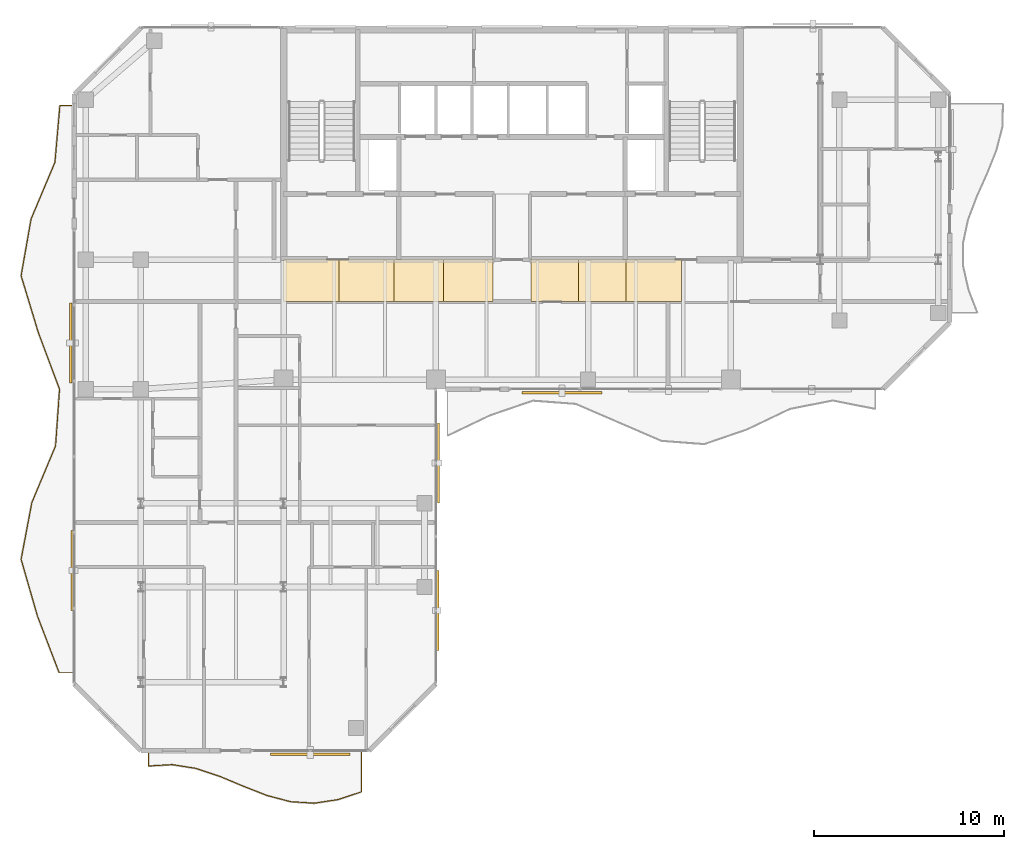
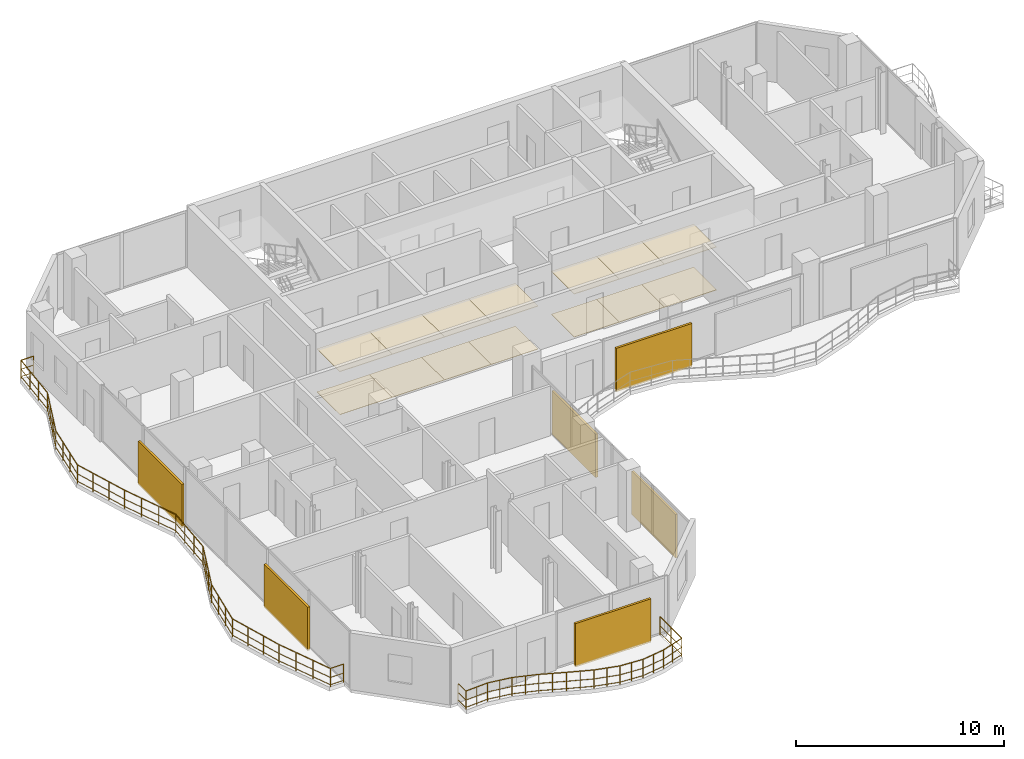
# One storey, part 21 of 23: 14 coverings, 6 shading devices, 2 railings.
"""IFC4 building model written with IfcOpenShell, lengths in metres."""

from ifc_helpers import new_model, si_unit, direction, frame, origin, origin_2d, place, context, subcontext, project, spatial, polyline, rectangle, circle, outline, extrude, material, layer, layer_set, type_object, element, save


model = new_model("IFC4")

# Units and contexts
model_context = context("Model", 3, precision=1e-05, world=origin(), true_north=direction((0.0, 1.0)))
body_context = subcontext(model_context, "Body", "Model", "MODEL_VIEW")
ifc_project = project(units=[si_unit("LENGTHUNIT", "METRE"), si_unit("AREAUNIT", "SQUARE_METRE"), si_unit("VOLUMEUNIT", "CUBIC_METRE"), si_unit("PLANEANGLEUNIT", "RADIAN"), si_unit("MASSUNIT", "GRAM", prefix="KILO")], contexts=[model_context])

# Site, building, storey
site_placement = place(None, origin())
site = spatial("IfcSite", under=ifc_project, at=site_placement, CompositionType="ELEMENT")
building_placement = place(site_placement, origin())
building = spatial("IfcBuilding", under=site, at=building_placement, Name="Catumbela Crestline Tower", CompositionType="ELEMENT")
storey_placement = place(building_placement, frame((0.0, 0.0, 168.6)))
storey = spatial("IfcBuildingStorey", under=building, at=storey_placement, Name="L43", CompositionType="ELEMENT", Elevation=168.6)

# Coverings
ifc_material_1 = material(Name="Mineral-fibre acoustic ceiling")
ifc_layer_1 = layer(ifc_material_1, 0.03, Name="Mineral-fibre acoustic ceiling")
ifc_layer_set_1 = layer_set([ifc_layer_1], Name="Mineral-fibre acoustic ceiling")
covering_type_1 = type_object("IfcCoveringType", Name="CC-AC", PredefinedType="CEILING", material=ifc_layer_set_1)
covering_1_placement = place(storey_placement, frame((0.0, 0.0, 2.52)))
element("IfcCovering", 1, at=covering_1_placement, inside=storey, type_object=covering_type_1, Name="L43 Corridor Acoustic Ceiling Bay 1", PredefinedType="CEILING", context=body_context, shape_type="SweptSolid", body=[
    extrude(outline(polyline([(16.0, 28.6), (18.9, 28.6), (18.9, 30.8), (16.0, 30.8), (16.0, 28.6)])), origin(), (0.0, 0.0, 1.0), 0.03),
])
covering_2_placement = place(storey_placement, frame((0.0, 0.0, 2.52)))
element("IfcCovering", 2, at=covering_2_placement, inside=storey, type_object=covering_type_1, Name="L43 Corridor Acoustic Ceiling Bay 2", PredefinedType="CEILING", context=body_context, shape_type="SweptSolid", body=[
    extrude(outline(polyline([(18.9, 28.6), (21.8, 28.6), (21.8, 30.8), (18.9, 30.8), (18.9, 28.6)])), origin(), (0.0, 0.0, 1.0), 0.03),
])
covering_3_placement = place(storey_placement, frame((0.0, 0.0, 2.52)))
element("IfcCovering", 3, at=covering_3_placement, inside=storey, type_object=covering_type_1, Name="L43 Corridor Acoustic Ceiling Bay 3", PredefinedType="CEILING", context=body_context, shape_type="SweptSolid", body=[
    extrude(outline(polyline([(21.8, 28.6), (24.4, 28.6), (24.4, 30.8), (21.8, 30.8), (21.8, 28.6)])), origin(), (0.0, 0.0, 1.0), 0.03),
])
covering_4_placement = place(storey_placement, frame((0.0, 0.0, 2.52)))
element("IfcCovering", 4, at=covering_4_placement, inside=storey, type_object=covering_type_1, Name="L43 Corridor Acoustic Ceiling Bay 4", PredefinedType="CEILING", context=body_context, shape_type="SweptSolid", body=[
    extrude(outline(polyline([(24.4, 28.6), (27.0, 28.6), (27.0, 30.8), (24.4, 30.8), (24.4, 28.6)])), origin(), (0.0, 0.0, 1.0), 0.03),
])
covering_5_placement = place(storey_placement, frame((0.0, 0.0, 2.52)))
element("IfcCovering", 5, at=covering_5_placement, inside=storey, type_object=covering_type_1, Name="L43 Corridor Acoustic Ceiling Bay 5", PredefinedType="CEILING", context=body_context, shape_type="SweptSolid", body=[
    extrude(outline(polyline([(29.0, 28.6), (31.5, 28.6), (31.5, 30.8), (29.0, 30.8), (29.0, 28.6)])), origin(), (0.0, 0.0, 1.0), 0.03),
])
covering_6_placement = place(storey_placement, frame((0.0, 0.0, 2.52)))
element("IfcCovering", 6, at=covering_6_placement, inside=storey, type_object=covering_type_1, Name="L43 Corridor Acoustic Ceiling Bay 6", PredefinedType="CEILING", context=body_context, shape_type="SweptSolid", body=[
    extrude(outline(polyline([(31.5, 28.6), (34.0, 28.6), (34.0, 30.8), (31.5, 30.8), (31.5, 28.6)])), origin(), (0.0, 0.0, 1.0), 0.03),
])
covering_7_placement = place(storey_placement, frame((0.0, 0.0, 2.52)))
element("IfcCovering", 7, at=covering_7_placement, inside=storey, type_object=covering_type_1, Name="L43 Corridor Acoustic Ceiling Bay 7", PredefinedType="CEILING", context=body_context, shape_type="SweptSolid", body=[
    extrude(outline(polyline([(34.0, 28.6), (36.9, 28.6), (36.9, 30.8), (34.0, 30.8), (34.0, 28.6)])), origin(), (0.0, 0.0, 1.0), 0.03),
])
ifc_material_2 = material(Name="Angolan grey-ochre granite", Category="masonry")
ifc_layer_2 = layer(ifc_material_2, 0.025, Name="Angolan grey-ochre granite")
ifc_layer_set_2 = layer_set([ifc_layer_2], Name="Angolan grey-ochre granite")
covering_type_2 = type_object("IfcCoveringType", Name="CF-GR", PredefinedType="FLOORING", material=ifc_layer_set_2)
covering_8_placement = place(storey_placement, origin())
element("IfcCovering", 8, at=covering_8_placement, inside=storey, type_object=covering_type_2, Name="L43 Corridor Granite Flooring Bay 1", PredefinedType="FLOORING", context=body_context, shape_type="SweptSolid", body=[
    extrude(outline(polyline([(16.0, 28.6), (18.9, 28.6), (18.9, 30.8), (16.0, 30.8), (16.0, 28.6)])), origin(), (0.0, 0.0, 1.0), 0.025),
])
covering_9_placement = place(storey_placement, origin())
element("IfcCovering", 9, at=covering_9_placement, inside=storey, type_object=covering_type_2, Name="L43 Corridor Granite Flooring Bay 2", PredefinedType="FLOORING", context=body_context, shape_type="SweptSolid", body=[
    extrude(outline(polyline([(18.9, 28.6), (21.8, 28.6), (21.8, 30.8), (18.9, 30.8), (18.9, 28.6)])), origin(), (0.0, 0.0, 1.0), 0.025),
])
covering_10_placement = place(storey_placement, origin())
element("IfcCovering", 10, at=covering_10_placement, inside=storey, type_object=covering_type_2, Name="L43 Corridor Granite Flooring Bay 3", PredefinedType="FLOORING", context=body_context, shape_type="SweptSolid", body=[
    extrude(outline(polyline([(21.8, 28.6), (24.4, 28.6), (24.4, 30.8), (21.8, 30.8), (21.8, 28.6)])), origin(), (0.0, 0.0, 1.0), 0.025),
])
covering_11_placement = place(storey_placement, origin())
element("IfcCovering", 11, at=covering_11_placement, inside=storey, type_object=covering_type_2, Name="L43 Corridor Granite Flooring Bay 4", PredefinedType="FLOORING", context=body_context, shape_type="SweptSolid", body=[
    extrude(outline(polyline([(24.4, 28.6), (27.0, 28.6), (27.0, 30.8), (24.4, 30.8), (24.4, 28.6)])), origin(), (0.0, 0.0, 1.0), 0.025),
])
covering_12_placement = place(storey_placement, origin())
element("IfcCovering", 12, at=covering_12_placement, inside=storey, type_object=covering_type_2, Name="L43 Corridor Granite Flooring Bay 5", PredefinedType="FLOORING", context=body_context, shape_type="SweptSolid", body=[
    extrude(outline(polyline([(29.0, 28.6), (31.5, 28.6), (31.5, 30.8), (29.0, 30.8), (29.0, 28.6)])), origin(), (0.0, 0.0, 1.0), 0.025),
])
covering_13_placement = place(storey_placement, origin())
element("IfcCovering", 13, at=covering_13_placement, inside=storey, type_object=covering_type_2, Name="L43 Corridor Granite Flooring Bay 6", PredefinedType="FLOORING", context=body_context, shape_type="SweptSolid", body=[
    extrude(outline(polyline([(31.5, 28.6), (34.0, 28.6), (34.0, 30.8), (31.5, 30.8), (31.5, 28.6)])), origin(), (0.0, 0.0, 1.0), 0.025),
])
covering_14_placement = place(storey_placement, origin())
element("IfcCovering", 14, at=covering_14_placement, inside=storey, type_object=covering_type_2, Name="L43 Corridor Granite Flooring Bay 7", PredefinedType="FLOORING", context=body_context, shape_type="SweptSolid", body=[
    extrude(outline(polyline([(34.0, 28.6), (36.9, 28.6), (36.9, 30.8), (34.0, 30.8), (34.0, 28.6)])), origin(), (0.0, 0.0, 1.0), 0.025),
])

# Railings
ifc_material_3 = material(Name="Stainless steel EN 1.4401", Category="steel")
railing_type = type_object("IfcRailingType", Name="RB-1100", PredefinedType="BALUSTRADE", material=ifc_material_3)
railing_1_placement = place(storey_placement, frame((8.9, 4.94, 0.0)))
element("IfcRailing", 15, at=railing_1_placement, inside=storey, type_object=railing_type, Name="L43 Private Wave Balcony Balustrade 3", PredefinedType="BALUSTRADE", context=body_context, shape_type="SweptSolid", body=[
    extrude(circle(Radius=0.024, at=origin_2d()), frame((0.0, 0.0, 1.076), z_axis=(0.0, -1.0, 0.0), x_axis=(1.0, 0.0, 0.0)), (0.0, 0.0, 1.0), 0.7402),
    extrude(circle(Radius=0.0156, at=origin_2d()), frame((0.0, 0.0, 0.55), z_axis=(0.0, -1.0, 0.0), x_axis=(1.0, 0.0, 0.0)), (0.0, 0.0, 1.0), 0.7402),
    extrude(circle(Radius=0.0156, at=origin_2d()), frame((0.0, 0.0, 0.12), z_axis=(0.0, -1.0, 0.0), x_axis=(1.0, 0.0, 0.0)), (0.0, 0.0, 1.0), 0.7402),
    extrude(circle(Radius=0.024, at=origin_2d()), frame((0.0, -0.7402, 1.076), z_axis=(0.998302474505, 0.058242333373, 0.0), x_axis=(-0.058242333373, 0.998302474505, 0.0)), (0.0, 0.0, 1.0), 1.2465),
    extrude(circle(Radius=0.0156, at=origin_2d()), frame((0.0, -0.7402, 0.55), z_axis=(0.998302474505, 0.058242333373, 0.0), x_axis=(-0.058242333373, 0.998302474505, 0.0)), (0.0, 0.0, 1.0), 1.2465),
    extrude(circle(Radius=0.0156, at=origin_2d()), frame((0.0, -0.7402, 0.12), z_axis=(0.998302474505, 0.058242333373, 0.0), x_axis=(-0.058242333373, 0.998302474505, 0.0)), (0.0, 0.0, 1.0), 1.2465),
    extrude(circle(Radius=0.024, at=origin_2d()), frame((1.2444, -0.6676, 1.076), z_axis=(0.987775189756, -0.155885132397, 0.0), x_axis=(0.155885132397, 0.987775189756, 0.0)), (0.0, 0.0, 1.0), 1.2599),
    extrude(circle(Radius=0.0156, at=origin_2d()), frame((1.2444, -0.6676, 0.55), z_axis=(0.987775189756, -0.155885132397, 0.0), x_axis=(0.155885132397, 0.987775189756, 0.0)), (0.0, 0.0, 1.0), 1.2599),
    extrude(circle(Radius=0.0156, at=origin_2d()), frame((1.2444, -0.6676, 0.12), z_axis=(0.987775189756, -0.155885132397, 0.0), x_axis=(0.155885132397, 0.987775189756, 0.0)), (0.0, 0.0, 1.0), 1.2599),
    extrude(circle(Radius=0.024, at=origin_2d()), frame((2.4889, -0.864, 1.076), z_axis=(0.949071544153, -0.315060635559, 0.0), x_axis=(0.315060635559, 0.949071544153, 0.0)), (0.0, 0.0, 1.0), 1.3112),
    extrude(circle(Radius=0.0156, at=origin_2d()), frame((2.4889, -0.864, 0.55), z_axis=(0.949071544153, -0.315060635559, 0.0), x_axis=(0.315060635559, 0.949071544153, 0.0)), (0.0, 0.0, 1.0), 1.3112),
    extrude(circle(Radius=0.0156, at=origin_2d()), frame((2.4889, -0.864, 0.12), z_axis=(0.949071544153, -0.315060635559, 0.0), x_axis=(0.315060635559, 0.949071544153, 0.0)), (0.0, 0.0, 1.0), 1.3112),
    extrude(circle(Radius=0.024, at=origin_2d()), frame((3.7333, -1.2771, 1.076), z_axis=(0.922666218007, -0.385599598221, 0.0), x_axis=(0.385599598221, 0.922666218007, 0.0)), (0.0, 0.0, 1.0), 1.3488),
    extrude(circle(Radius=0.0156, at=origin_2d()), frame((3.7333, -1.2771, 0.55), z_axis=(0.922666218007, -0.385599598221, 0.0), x_axis=(0.385599598221, 0.922666218007, 0.0)), (0.0, 0.0, 1.0), 1.3488),
    extrude(circle(Radius=0.0156, at=origin_2d()), frame((3.7333, -1.2771, 0.12), z_axis=(0.922666218007, -0.385599598221, 0.0), x_axis=(0.385599598221, 0.922666218007, 0.0)), (0.0, 0.0, 1.0), 1.3488),
    extrude(circle(Radius=0.024, at=origin_2d()), frame((4.9778, -1.7972, 1.076), z_axis=(0.930718762797, -0.365735675834, 0.0), x_axis=(0.365735675834, 0.930718762797, 0.0)), (0.0, 0.0, 1.0), 1.337),
    extrude(circle(Radius=0.0156, at=origin_2d()), frame((4.9778, -1.7972, 0.55), z_axis=(0.930718762797, -0.365735675834, 0.0), x_axis=(0.365735675834, 0.930718762797, 0.0)), (0.0, 0.0, 1.0), 1.337),
    extrude(circle(Radius=0.0156, at=origin_2d()), frame((4.9778, -1.7972, 0.12), z_axis=(0.930718762797, -0.365735675834, 0.0), x_axis=(0.365735675834, 0.930718762797, 0.0)), (0.0, 0.0, 1.0), 1.337),
    extrude(circle(Radius=0.024, at=origin_2d()), frame((6.2222, -2.2862, 1.076), z_axis=(0.96697885349, -0.254856620285, 0.0), x_axis=(0.254856620285, 0.96697885349, 0.0)), (0.0, 0.0, 1.0), 1.287),
    extrude(circle(Radius=0.0156, at=origin_2d()), frame((6.2222, -2.2862, 0.55), z_axis=(0.96697885349, -0.254856620285, 0.0), x_axis=(0.254856620285, 0.96697885349, 0.0)), (0.0, 0.0, 1.0), 1.287),
    extrude(circle(Radius=0.0156, at=origin_2d()), frame((6.2222, -2.2862, 0.12), z_axis=(0.96697885349, -0.254856620285, 0.0), x_axis=(0.254856620285, 0.96697885349, 0.0)), (0.0, 0.0, 1.0), 1.287),
    extrude(circle(Radius=0.024, at=origin_2d()), frame((7.4667, -2.6142, 1.076), z_axis=(0.997950165326, -0.063995839917, 0.0), x_axis=(0.063995839917, 0.997950165326, 0.0)), (0.0, 0.0, 1.0), 1.247),
    extrude(circle(Radius=0.0156, at=origin_2d()), frame((7.4667, -2.6142, 0.55), z_axis=(0.997950165326, -0.063995839917, 0.0), x_axis=(0.063995839917, 0.997950165326, 0.0)), (0.0, 0.0, 1.0), 1.247),
    extrude(circle(Radius=0.0156, at=origin_2d()), frame((7.4667, -2.6142, 0.12), z_axis=(0.997950165326, -0.063995839917, 0.0), x_axis=(0.063995839917, 0.997950165326, 0.0)), (0.0, 0.0, 1.0), 1.247),
    extrude(circle(Radius=0.024, at=origin_2d()), frame((8.7111, -2.694, 1.076), z_axis=(0.98860470661, 0.15053482676, 0.0), x_axis=(-0.15053482676, 0.98860470661, 0.0)), (0.0, 0.0, 1.0), 1.2588),
    extrude(circle(Radius=0.0156, at=origin_2d()), frame((8.7111, -2.694, 0.55), z_axis=(0.98860470661, 0.15053482676, 0.0), x_axis=(-0.15053482676, 0.98860470661, 0.0)), (0.0, 0.0, 1.0), 1.2588),
    extrude(circle(Radius=0.0156, at=origin_2d()), frame((8.7111, -2.694, 0.12), z_axis=(0.98860470661, 0.15053482676, 0.0), x_axis=(-0.15053482676, 0.98860470661, 0.0)), (0.0, 0.0, 1.0), 1.2588),
    extrude(circle(Radius=0.024, at=origin_2d()), frame((9.9556, -2.5045, 1.076), z_axis=(0.950116461378, 0.31189535075, 0.0), x_axis=(-0.31189535075, 0.950116461378, 0.0)), (0.0, 0.0, 1.0), 1.3097),
    extrude(circle(Radius=0.0156, at=origin_2d()), frame((9.9556, -2.5045, 0.55), z_axis=(0.950116461378, 0.31189535075, 0.0), x_axis=(-0.31189535075, 0.950116461378, 0.0)), (0.0, 0.0, 1.0), 1.3097),
    extrude(circle(Radius=0.0156, at=origin_2d()), frame((9.9556, -2.5045, 0.12), z_axis=(0.950116461378, 0.31189535075, 0.0), x_axis=(-0.31189535075, 0.950116461378, 0.0)), (0.0, 0.0, 1.0), 1.3097),
    extrude(circle(Radius=0.024, at=origin_2d()), frame((11.2, -2.096, 1.076), z_axis=(0.0, 1.0, 0.0), x_axis=(-1.0, 0.0, 0.0)), (0.0, 0.0, 1.0), 2.096),
    extrude(circle(Radius=0.0156, at=origin_2d()), frame((11.2, -2.096, 0.55), z_axis=(0.0, 1.0, 0.0), x_axis=(-1.0, 0.0, 0.0)), (0.0, 0.0, 1.0), 2.096),
    extrude(circle(Radius=0.0156, at=origin_2d()), frame((11.2, -2.096, 0.12), z_axis=(0.0, 1.0, 0.0), x_axis=(-1.0, 0.0, 0.0)), (0.0, 0.0, 1.0), 2.096),
    extrude(circle(Radius=0.021, at=origin_2d()), origin(), (0.0, 0.0, 1.0), 1.052),
    extrude(circle(Radius=0.021, at=origin_2d()), frame((0.0, -0.7402, 0.0)), (0.0, 0.0, 1.0), 1.052),
    extrude(circle(Radius=0.021, at=origin_2d()), frame((0.6222, -0.7039, 0.0)), (0.0, 0.0, 1.0), 1.052),
    extrude(circle(Radius=0.021, at=origin_2d()), frame((1.2444, -0.6676, 0.0)), (0.0, 0.0, 1.0), 1.052),
    extrude(circle(Radius=0.021, at=origin_2d()), frame((1.8666, -0.7658, 0.0)), (0.0, 0.0, 1.0), 1.052),
    extrude(circle(Radius=0.021, at=origin_2d()), frame((2.4889, -0.864, 0.0)), (0.0, 0.0, 1.0), 1.052),
    extrude(circle(Radius=0.021, at=origin_2d()), frame((3.1111, -1.0706, 0.0)), (0.0, 0.0, 1.0), 1.052),
    extrude(circle(Radius=0.021, at=origin_2d()), frame((3.7333, -1.2771, 0.0)), (0.0, 0.0, 1.0), 1.052),
    extrude(circle(Radius=0.021, at=origin_2d()), frame((4.3556, -1.5372, 0.0)), (0.0, 0.0, 1.0), 1.052),
    extrude(circle(Radius=0.021, at=origin_2d()), frame((4.9778, -1.7972, 0.0)), (0.0, 0.0, 1.0), 1.052),
    extrude(circle(Radius=0.021, at=origin_2d()), frame((5.6, -2.0417, 0.0)), (0.0, 0.0, 1.0), 1.052),
    extrude(circle(Radius=0.021, at=origin_2d()), frame((6.2222, -2.2862, 0.0)), (0.0, 0.0, 1.0), 1.052),
    extrude(circle(Radius=0.021, at=origin_2d()), frame((6.8444, -2.4502, 0.0)), (0.0, 0.0, 1.0), 1.052),
    extrude(circle(Radius=0.021, at=origin_2d()), frame((7.4667, -2.6142, 0.0)), (0.0, 0.0, 1.0), 1.052),
    extrude(circle(Radius=0.021, at=origin_2d()), frame((8.0889, -2.6541, 0.0)), (0.0, 0.0, 1.0), 1.052),
    extrude(circle(Radius=0.021, at=origin_2d()), frame((8.7111, -2.694, 0.0)), (0.0, 0.0, 1.0), 1.052),
    extrude(circle(Radius=0.021, at=origin_2d()), frame((9.3334, -2.5993, 0.0)), (0.0, 0.0, 1.0), 1.052),
    extrude(circle(Radius=0.021, at=origin_2d()), frame((9.9556, -2.5045, 0.0)), (0.0, 0.0, 1.0), 1.052),
    extrude(circle(Radius=0.021, at=origin_2d()), frame((10.5778, -2.3002, 0.0)), (0.0, 0.0, 1.0), 1.052),
    extrude(circle(Radius=0.021, at=origin_2d()), frame((11.2, -2.096, 0.0)), (0.0, 0.0, 1.0), 1.052),
    extrude(circle(Radius=0.021, at=origin_2d()), frame((11.2, -1.048, 0.0)), (0.0, 0.0, 1.0), 1.052),
    extrude(circle(Radius=0.021, at=origin_2d()), frame((11.2, 0.0, 0.0)), (0.0, 0.0, 1.0), 1.052),
])
railing_2_placement = place(storey_placement, frame((4.94, 38.9, 0.0)))
element("IfcRailing", 16, at=railing_2_placement, inside=storey, type_object=railing_type, Name="L43 Private Wave Balcony Balustrade 4", PredefinedType="BALUSTRADE", context=body_context, shape_type="SweptSolid", body=[
    extrude(circle(Radius=0.024, at=origin_2d()), frame((0.0, 0.0, 1.076), z_axis=(-1.0, 0.0, 0.0), x_axis=(0.0, -1.0, 0.0)), (0.0, 0.0, 1.0), 0.6926),
    extrude(circle(Radius=0.0156, at=origin_2d()), frame((0.0, 0.0, 0.55), z_axis=(-1.0, 0.0, 0.0), x_axis=(0.0, -1.0, 0.0)), (0.0, 0.0, 1.0), 0.6926),
    extrude(circle(Radius=0.0156, at=origin_2d()), frame((0.0, 0.0, 0.12), z_axis=(-1.0, 0.0, 0.0), x_axis=(0.0, -1.0, 0.0)), (0.0, 0.0, 1.0), 0.6926),
    extrude(circle(Radius=0.024, at=origin_2d()), frame((-0.6926, 0.0, 1.076), z_axis=(-0.086752236148, -0.996229918003, 0.0), x_axis=(0.996229918003, -0.086752236148, 0.0)), (0.0, 0.0, 1.0), 2.9913),
    extrude(circle(Radius=0.0156, at=origin_2d()), frame((-0.6926, 0.0, 0.55), z_axis=(-0.086752236148, -0.996229918003, 0.0), x_axis=(0.996229918003, -0.086752236148, 0.0)), (0.0, 0.0, 1.0), 2.9913),
    extrude(circle(Radius=0.0156, at=origin_2d()), frame((-0.6926, 0.0, 0.12), z_axis=(-0.086752236148, -0.996229918003, 0.0), x_axis=(0.996229918003, -0.086752236148, 0.0)), (0.0, 0.0, 1.0), 2.9913),
    extrude(circle(Radius=0.024, at=origin_2d()), frame((-0.9521, -2.98, 1.076), z_axis=(-0.387810849526, -0.921738978773, 0.0), x_axis=(0.921738978773, -0.387810849526, 0.0)), (0.0, 0.0, 1.0), 3.233),
    extrude(circle(Radius=0.0156, at=origin_2d()), frame((-0.9521, -2.98, 0.55), z_axis=(-0.387810849526, -0.921738978773, 0.0), x_axis=(0.921738978773, -0.387810849526, 0.0)), (0.0, 0.0, 1.0), 3.233),
    extrude(circle(Radius=0.0156, at=origin_2d()), frame((-0.9521, -2.98, 0.12), z_axis=(-0.387810849526, -0.921738978773, 0.0), x_axis=(0.921738978773, -0.387810849526, 0.0)), (0.0, 0.0, 1.0), 3.233),
    extrude(circle(Radius=0.024, at=origin_2d()), frame((-2.2059, -5.96, 1.076), z_axis=(-0.173214031015, -0.984884206117, 0.0), x_axis=(0.984884206117, -0.173214031015, 0.0)), (0.0, 0.0, 1.0), 3.0257),
    extrude(circle(Radius=0.0156, at=origin_2d()), frame((-2.2059, -5.96, 0.55), z_axis=(-0.173214031015, -0.984884206117, 0.0), x_axis=(0.984884206117, -0.173214031015, 0.0)), (0.0, 0.0, 1.0), 3.0257),
    extrude(circle(Radius=0.0156, at=origin_2d()), frame((-2.2059, -5.96, 0.12), z_axis=(-0.173214031015, -0.984884206117, 0.0), x_axis=(0.984884206117, -0.173214031015, 0.0)), (0.0, 0.0, 1.0), 3.0257),
    extrude(circle(Radius=0.024, at=origin_2d()), frame((-2.73, -8.94, 1.076), z_axis=(0.290027895688, -0.95701819195, 0.0), x_axis=(0.95701819195, 0.290027895688, 0.0)), (0.0, 0.0, 1.0), 3.1138),
    extrude(circle(Radius=0.0156, at=origin_2d()), frame((-2.73, -8.94, 0.55), z_axis=(0.290027895688, -0.95701819195, 0.0), x_axis=(0.95701819195, 0.290027895688, 0.0)), (0.0, 0.0, 1.0), 3.1138),
    extrude(circle(Radius=0.0156, at=origin_2d()), frame((-2.73, -8.94, 0.12), z_axis=(0.290027895688, -0.95701819195, 0.0), x_axis=(0.95701819195, 0.290027895688, 0.0)), (0.0, 0.0, 1.0), 3.1138),
    extrude(circle(Radius=0.024, at=origin_2d()), frame((-1.8269, -11.92, 1.076), z_axis=(0.350462058547, -0.936576929846, 0.0), x_axis=(0.936576929846, 0.350462058547, 0.0)), (0.0, 0.0, 1.0), 3.1818),
    extrude(circle(Radius=0.0156, at=origin_2d()), frame((-1.8269, -11.92, 0.55), z_axis=(0.350462058547, -0.936576929846, 0.0), x_axis=(0.936576929846, 0.350462058547, 0.0)), (0.0, 0.0, 1.0), 3.1818),
    extrude(circle(Radius=0.0156, at=origin_2d()), frame((-1.8269, -11.92, 0.12), z_axis=(0.350462058547, -0.936576929846, 0.0), x_axis=(0.936576929846, 0.350462058547, 0.0)), (0.0, 0.0, 1.0), 3.1818),
    extrude(circle(Radius=0.024, at=origin_2d()), frame((-0.7118, -14.9, 1.076), z_axis=(-0.069462682638, -0.997584550663, 0.0), x_axis=(0.997584550663, -0.069462682638, 0.0)), (0.0, 0.0, 1.0), 2.9872),
    extrude(circle(Radius=0.0156, at=origin_2d()), frame((-0.7118, -14.9, 0.55), z_axis=(-0.069462682638, -0.997584550663, 0.0), x_axis=(0.997584550663, -0.069462682638, 0.0)), (0.0, 0.0, 1.0), 2.9872),
    extrude(circle(Radius=0.0156, at=origin_2d()), frame((-0.7118, -14.9, 0.12), z_axis=(-0.069462682638, -0.997584550663, 0.0), x_axis=(0.997584550663, -0.069462682638, 0.0)), (0.0, 0.0, 1.0), 2.9872),
    extrude(circle(Radius=0.024, at=origin_2d()), frame((-0.9193, -17.88, 1.076), z_axis=(-0.385942663406, -0.922522769672, 0.0), x_axis=(0.922522769672, -0.385942663406, 0.0)), (0.0, 0.0, 1.0), 3.2303),
    extrude(circle(Radius=0.0156, at=origin_2d()), frame((-0.9193, -17.88, 0.55), z_axis=(-0.385942663406, -0.922522769672, 0.0), x_axis=(0.922522769672, -0.385942663406, 0.0)), (0.0, 0.0, 1.0), 3.2303),
    extrude(circle(Radius=0.0156, at=origin_2d()), frame((-0.9193, -17.88, 0.12), z_axis=(-0.385942663406, -0.922522769672, 0.0), x_axis=(0.922522769672, -0.385942663406, 0.0)), (0.0, 0.0, 1.0), 3.2303),
    extrude(circle(Radius=0.024, at=origin_2d()), frame((-2.166, -20.86, 1.076), z_axis=(-0.185960494368, -0.982557222015, 0.0), x_axis=(0.982557222015, -0.185960494368, 0.0)), (0.0, 0.0, 1.0), 3.0329),
    extrude(circle(Radius=0.0156, at=origin_2d()), frame((-2.166, -20.86, 0.55), z_axis=(-0.185960494368, -0.982557222015, 0.0), x_axis=(0.982557222015, -0.185960494368, 0.0)), (0.0, 0.0, 1.0), 3.0329),
    extrude(circle(Radius=0.0156, at=origin_2d()), frame((-2.166, -20.86, 0.12), z_axis=(-0.185960494368, -0.982557222015, 0.0), x_axis=(0.982557222015, -0.185960494368, 0.0)), (0.0, 0.0, 1.0), 3.0329),
    extrude(circle(Radius=0.024, at=origin_2d()), frame((-2.73, -23.84, 1.076), z_axis=(0.276798825802, -0.960927890133, 0.0), x_axis=(0.960927890133, 0.276798825802, 0.0)), (0.0, 0.0, 1.0), 3.1012),
    extrude(circle(Radius=0.0156, at=origin_2d()), frame((-2.73, -23.84, 0.55), z_axis=(0.276798825802, -0.960927890133, 0.0), x_axis=(0.960927890133, 0.276798825802, 0.0)), (0.0, 0.0, 1.0), 3.1012),
    extrude(circle(Radius=0.0156, at=origin_2d()), frame((-2.73, -23.84, 0.12), z_axis=(0.276798825802, -0.960927890133, 0.0), x_axis=(0.960927890133, 0.276798825802, 0.0)), (0.0, 0.0, 1.0), 3.1012),
    extrude(circle(Radius=0.024, at=origin_2d()), frame((-1.8716, -26.82, 1.076), z_axis=(0.356997506143, -0.934105336998, 0.0), x_axis=(0.934105336998, 0.356997506143, 0.0)), (0.0, 0.0, 1.0), 3.1902),
    extrude(circle(Radius=0.0156, at=origin_2d()), frame((-1.8716, -26.82, 0.55), z_axis=(0.356997506143, -0.934105336998, 0.0), x_axis=(0.934105336998, 0.356997506143, 0.0)), (0.0, 0.0, 1.0), 3.1902),
    extrude(circle(Radius=0.0156, at=origin_2d()), frame((-1.8716, -26.82, 0.12), z_axis=(0.356997506143, -0.934105336998, 0.0), x_axis=(0.934105336998, 0.356997506143, 0.0)), (0.0, 0.0, 1.0), 3.1902),
    extrude(circle(Radius=0.024, at=origin_2d()), frame((-0.7327, -29.8, 1.076), z_axis=(1.0, 0.0, 0.0), x_axis=(0.0, 1.0, 0.0)), (0.0, 0.0, 1.0), 0.7327),
    extrude(circle(Radius=0.0156, at=origin_2d()), frame((-0.7327, -29.8, 0.55), z_axis=(1.0, 0.0, 0.0), x_axis=(0.0, 1.0, 0.0)), (0.0, 0.0, 1.0), 0.7327),
    extrude(circle(Radius=0.0156, at=origin_2d()), frame((-0.7327, -29.8, 0.12), z_axis=(1.0, 0.0, 0.0), x_axis=(0.0, 1.0, 0.0)), (0.0, 0.0, 1.0), 0.7327),
    extrude(circle(Radius=0.021, at=origin_2d()), origin(), (0.0, 0.0, 1.0), 1.052),
    extrude(circle(Radius=0.021, at=origin_2d()), frame((-0.6926, 0.0, 0.0)), (0.0, 0.0, 1.0), 1.052),
    extrude(circle(Radius=0.021, at=origin_2d()), frame((-0.7791, -0.9933, 0.0)), (0.0, 0.0, 1.0), 1.052),
    extrude(circle(Radius=0.021, at=origin_2d()), frame((-0.8656, -1.9867, 0.0)), (0.0, 0.0, 1.0), 1.052),
    extrude(circle(Radius=0.021, at=origin_2d()), frame((-0.9521, -2.98, 0.0)), (0.0, 0.0, 1.0), 1.052),
    extrude(circle(Radius=0.021, at=origin_2d()), frame((-1.37, -3.9733, 0.0)), (0.0, 0.0, 1.0), 1.052),
    extrude(circle(Radius=0.021, at=origin_2d()), frame((-1.788, -4.9667, 0.0)), (0.0, 0.0, 1.0), 1.052),
    extrude(circle(Radius=0.021, at=origin_2d()), frame((-2.2059, -5.96, 0.0)), (0.0, 0.0, 1.0), 1.052),
    extrude(circle(Radius=0.021, at=origin_2d()), frame((-2.3806, -6.9533, 0.0)), (0.0, 0.0, 1.0), 1.052),
    extrude(circle(Radius=0.021, at=origin_2d()), frame((-2.5553, -7.9467, 0.0)), (0.0, 0.0, 1.0), 1.052),
    extrude(circle(Radius=0.021, at=origin_2d()), frame((-2.73, -8.94, 0.0)), (0.0, 0.0, 1.0), 1.052),
    extrude(circle(Radius=0.021, at=origin_2d()), frame((-2.429, -9.9333, 0.0)), (0.0, 0.0, 1.0), 1.052),
    extrude(circle(Radius=0.021, at=origin_2d()), frame((-2.1279, -10.9267, 0.0)), (0.0, 0.0, 1.0), 1.052),
    extrude(circle(Radius=0.021, at=origin_2d()), frame((-1.8269, -11.92, 0.0)), (0.0, 0.0, 1.0), 1.052),
    extrude(circle(Radius=0.021, at=origin_2d()), frame((-1.4552, -12.9133, 0.0)), (0.0, 0.0, 1.0), 1.052),
    extrude(circle(Radius=0.021, at=origin_2d()), frame((-1.0835, -13.9067, 0.0)), (0.0, 0.0, 1.0), 1.052),
    extrude(circle(Radius=0.021, at=origin_2d()), frame((-0.7118, -14.9, 0.0)), (0.0, 0.0, 1.0), 1.052),
    extrude(circle(Radius=0.021, at=origin_2d()), frame((-0.781, -15.8933, 0.0)), (0.0, 0.0, 1.0), 1.052),
    extrude(circle(Radius=0.021, at=origin_2d()), frame((-0.8501, -16.8867, 0.0)), (0.0, 0.0, 1.0), 1.052),
    extrude(circle(Radius=0.021, at=origin_2d()), frame((-0.9193, -17.88, 0.0)), (0.0, 0.0, 1.0), 1.052),
    extrude(circle(Radius=0.021, at=origin_2d()), frame((-1.3349, -18.8733, 0.0)), (0.0, 0.0, 1.0), 1.052),
    extrude(circle(Radius=0.021, at=origin_2d()), frame((-1.7504, -19.8667, 0.0)), (0.0, 0.0, 1.0), 1.052),
    extrude(circle(Radius=0.021, at=origin_2d()), frame((-2.166, -20.86, 0.0)), (0.0, 0.0, 1.0), 1.052),
    extrude(circle(Radius=0.021, at=origin_2d()), frame((-2.354, -21.8533, 0.0)), (0.0, 0.0, 1.0), 1.052),
    extrude(circle(Radius=0.021, at=origin_2d()), frame((-2.542, -22.8467, 0.0)), (0.0, 0.0, 1.0), 1.052),
    extrude(circle(Radius=0.021, at=origin_2d()), frame((-2.73, -23.84, 0.0)), (0.0, 0.0, 1.0), 1.052),
    extrude(circle(Radius=0.021, at=origin_2d()), frame((-2.4439, -24.8333, 0.0)), (0.0, 0.0, 1.0), 1.052),
    extrude(circle(Radius=0.021, at=origin_2d()), frame((-2.1577, -25.8267, 0.0)), (0.0, 0.0, 1.0), 1.052),
    extrude(circle(Radius=0.021, at=origin_2d()), frame((-1.8716, -26.82, 0.0)), (0.0, 0.0, 1.0), 1.052),
    extrude(circle(Radius=0.021, at=origin_2d()), frame((-1.492, -27.8133, 0.0)), (0.0, 0.0, 1.0), 1.052),
    extrude(circle(Radius=0.021, at=origin_2d()), frame((-1.1123, -28.8067, 0.0)), (0.0, 0.0, 1.0), 1.052),
    extrude(circle(Radius=0.021, at=origin_2d()), frame((-0.7327, -29.8, 0.0)), (0.0, 0.0, 1.0), 1.052),
    extrude(circle(Radius=0.021, at=origin_2d()), frame((0.0, -29.8, 0.0)), (0.0, 0.0, 1.0), 1.052),
])

# Shading devices
ifc_material_4 = material(Name="Extruded terracotta ceramic", Category="masonry")
shading_device_type_1 = type_object("IfcShadingDeviceType", Name="ST-180", PredefinedType="USERDEFINED", material=ifc_material_4)
for number, where, z_axis, x_axis, name in (
    (17, (24.099, 12.375, -0.1), (0.0, 0.0, 1.0), (0.0, 1.0, 0.0), "L43 Perforated Terracotta Solar Screen 481 (180 mm)"),
    (18, (4.901, 14.475, -0.1), (0.0, 0.0, 1.0), (0.0, -1.0, 0.0), "L43 Perforated Terracotta Solar Screen 490 (180 mm)"),
):
    element("IfcShadingDevice", number, at=place(storey_placement, frame(where, z_axis=z_axis, x_axis=x_axis)), inside=storey, type_object=shading_device_type_1, Name=name, ObjectType="SCREEN", PredefinedType="USERDEFINED", context=body_context, shape_type="SweptSolid", body=[
        extrude(rectangle(XDim=4.2, YDim=0.12, at=origin_2d()), origin(), (0.0, 0.0, 1.0), 2.55),
    ])
shading_device_type_2 = type_object("IfcShadingDeviceType", Name="ST-260", PredefinedType="USERDEFINED", material=ifc_material_4)
shading_device_placement = place(storey_placement, frame((24.143, 20.125, -0.1), z_axis=(0.0, 0.0, 1.0), x_axis=(0.0, 1.0, 0.0)))
element("IfcShadingDevice", 19, at=shading_device_placement, inside=storey, type_object=shading_device_type_2, Name="L43 Perforated Terracotta Solar Screen 482 (260 mm)", ObjectType="SCREEN", PredefinedType="USERDEFINED", context=body_context, shape_type="SweptSolid", body=[
    extrude(rectangle(XDim=4.2, YDim=0.12, at=origin_2d()), origin(), (0.0, 0.0, 1.0), 2.55),
])
shading_device_type_3 = type_object("IfcShadingDeviceType", Name="ST-340", PredefinedType="USERDEFINED", material=ifc_material_4)
for number, where, z_axis, x_axis, name in (
    (20, (17.4, 4.813, -0.1), (0.0, 0.0, 1.0), (1.0, 0.0, 0.0), "L43 Perforated Terracotta Solar Screen 480 (340 mm)"),
    (21, (30.6375, 23.813, -0.1), (0.0, 0.0, 1.0), (1.0, 0.0, 0.0), "L43 Perforated Terracotta Solar Screen 483 (340 mm)"),
    (22, (4.813, 26.425, -0.1), (0.0, 0.0, 1.0), (0.0, -1.0, 0.0), "L43 Perforated Terracotta Solar Screen 489 (340 mm)"),
):
    element("IfcShadingDevice", number, at=place(storey_placement, frame(where, z_axis=z_axis, x_axis=x_axis)), inside=storey, type_object=shading_device_type_3, Name=name, ObjectType="SCREEN", PredefinedType="USERDEFINED", context=body_context, shape_type="SweptSolid", body=[
        extrude(rectangle(XDim=4.2, YDim=0.12, at=origin_2d()), origin(), (0.0, 0.0, 1.0), 2.55),
    ])

save(model, "model.ifc")
